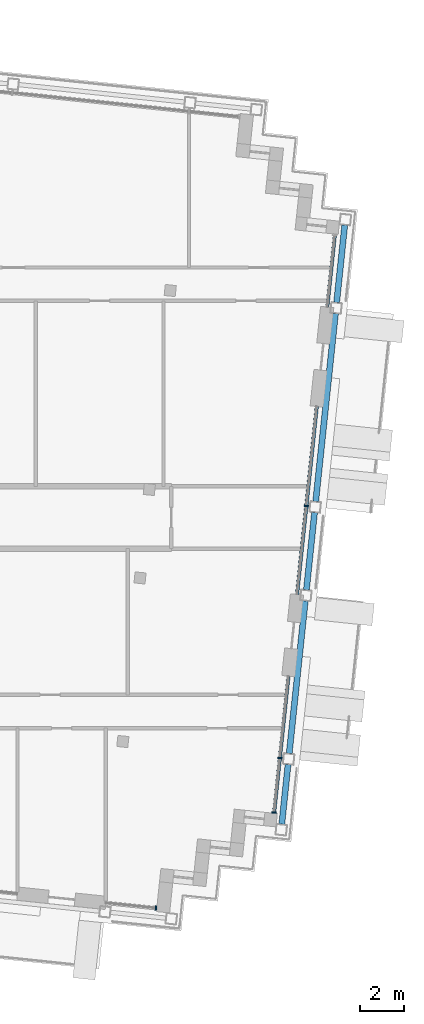
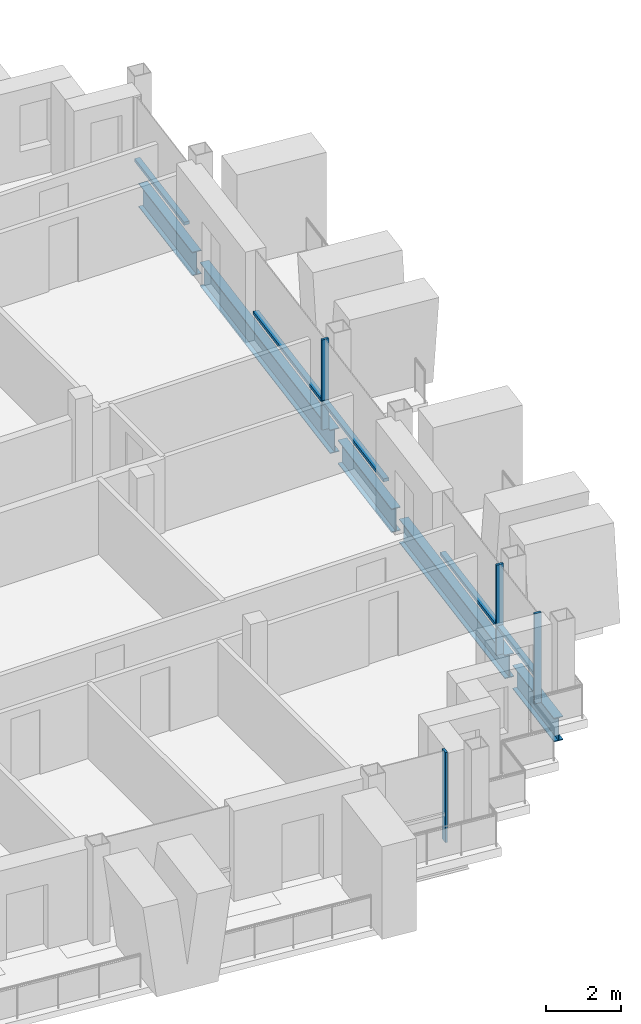
# One storey, part 4 of 16: 9 members, 5 beams, 4 elements without a shape of their own.
"""IFC4 building model written with IfcOpenShell, lengths in metres."""

from ifc_helpers import new_model, si_unit, direction, frame, origin, origin_2d, place, context, subcontext, project, spatial, rectangle, i_section, extrude, material, material_profile, profile_set, type_object, element, aggregate, save


model = new_model("IFC4")

# Units and contexts
model_context = context("Model", 3, precision=1e-05, world=origin(), true_north=direction((0.0, 1.0)))
body_context = subcontext(model_context, "Body", "Model", "MODEL_VIEW")
ifc_project = project(units=[si_unit("LENGTHUNIT", "METRE"), si_unit("AREAUNIT", "SQUARE_METRE"), si_unit("VOLUMEUNIT", "CUBIC_METRE"), si_unit("PLANEANGLEUNIT", "RADIAN"), si_unit("MASSUNIT", "GRAM", prefix="KILO")], contexts=[model_context])

# Site, building, storey
site_placement = place(None, origin())
site = spatial("IfcSite", under=ifc_project, at=site_placement, CompositionType="ELEMENT")
building_placement = place(site_placement, origin())
building = spatial("IfcBuilding", under=site, at=building_placement, Name="Vidyagriha Tower", CompositionType="ELEMENT")
storey_placement = place(building_placement, frame((0.0, 0.0, 272.300048828125)))
storey = spatial("IfcBuildingStorey", under=building, at=storey_placement, Name="L71", CompositionType="ELEMENT", Elevation=272.300048828125)

# Beams
ifc_material_1 = material(Name="Steel ASTM A992 Grade 50", Category="steel")
ifc_material_profile_1 = material_profile(ifc_material_1, i_section(OverallWidth=0.2666015625, OverallDepth=0.76953125, WebThickness=0.015625, FlangeThickness=0.025390625, at=origin_2d()), Name="W30X132")
ifc_profile_set_1 = profile_set([ifc_material_profile_1], Name="Steel ASTM A992 Grade 50")
beam_type = type_object("IfcBeamType", Name="Cantilever edge beam W30X132", PredefinedType="SPANDREL", material=ifc_profile_set_1)
beam_1_placement = place(storey_placement, frame((29.968017578125, -13.79736328125, -0.664794921875), z_axis=(0.104435320588, 0.994531680649, 0.0), x_axis=(-0.994531680649, 0.104435320588, 0.0)))
element("IfcBeam", 1, at=beam_1_placement, inside=storey, type_object=beam_type, Name="st-beam-L71-E13", PredefinedType="SPANDREL", context=body_context, shape_type="SweptSolid", body=[
    extrude(i_section(OverallWidth=0.2666015625, OverallDepth=0.76953125, WebThickness=0.015625, FlangeThickness=0.025390625, at=origin_2d()), origin(), (0.0, 0.0, 1.0), 2.699951171875),
])
beam_2_placement = place(storey_placement, frame((30.30224609375, -10.61474609375, -0.664794921875), z_axis=(0.104557694553, 0.994518822602, 0.0), x_axis=(-0.994518822602, 0.104557694553, 0.0)))
element("IfcBeam", 2, at=beam_2_placement, inside=storey, type_object=beam_type, Name="st-beam-L71-E14", PredefinedType="SPANDREL", context=body_context, shape_type="SweptSolid", body=[
    extrude(i_section(OverallWidth=0.2666015625, OverallDepth=0.76953125, WebThickness=0.015625, FlangeThickness=0.025390625, at=origin_2d()), origin(), (0.0, 0.0, 1.0), 6.89990234375),
])
beam_3_placement = place(storey_placement, frame((31.075927734375, -3.25537109375, -0.664794921875), z_axis=(0.104495960989, 0.994525310958, 0.0), x_axis=(-0.994525310958, 0.104495960989, 0.0)))
element("IfcBeam", 3, at=beam_3_placement, inside=storey, type_object=beam_type, Name="st-beam-L71-E15", PredefinedType="SPANDREL", context=body_context, shape_type="SweptSolid", body=[
    extrude(i_section(OverallWidth=0.2666015625, OverallDepth=0.76953125, WebThickness=0.015625, FlangeThickness=0.025390625, at=origin_2d()), origin(), (0.0, 0.0, 1.0), 3.499755859375),
])
beam_4_placement = place(storey_placement, frame((31.493896484375, 0.72265625, -0.664794921875), z_axis=(0.104550220202, 0.994519608382, 0.0), x_axis=(-0.994519608382, 0.104550220202, 0.0)))
element("IfcBeam", 4, at=beam_4_placement, inside=storey, type_object=beam_type, Name="st-beam-L71-E16", PredefinedType="SPANDREL", context=body_context, shape_type="SweptSolid", body=[
    extrude(i_section(OverallWidth=0.2666015625, OverallDepth=0.76953125, WebThickness=0.015625, FlangeThickness=0.025390625, at=origin_2d()), origin(), (0.0, 0.0, 1.0), 8.5),
])
beam_5_placement = place(storey_placement, frame((32.434814453125, 9.67333984375, -0.664794921875), z_axis=(0.104488712073, 0.994526072584, 0.0), x_axis=(-0.994526072584, 0.104488712073, 0.0)))
element("IfcBeam", 5, at=beam_5_placement, inside=storey, type_object=beam_type, Name="st-beam-L71-E17", PredefinedType="SPANDREL", context=body_context, shape_type="SweptSolid", body=[
    extrude(i_section(OverallWidth=0.2666015625, OverallDepth=0.76953125, WebThickness=0.015625, FlangeThickness=0.025390625, at=origin_2d()), origin(), (0.0, 0.0, 1.0), 3.5),
])

# Curtain wall, member
ifc_material_2 = material(Name="Aluminium and glass curtain wall", Category="aluminium")
curtain_wall_type = type_object("IfcCurtainWallType", Name="Dwelling skin unitised curtain wall", PredefinedType="USERDEFINED", material=ifc_material_2)
curtain_wall_1_placement = place(storey_placement, origin())
curtain_wall_1 = element("IfcCurtainWall", 6, at=curtain_wall_1_placement, inside=storey, type_object=curtain_wall_type, Name="CW1 dwelling skin", ObjectType="UNITISED", PredefinedType="USERDEFINED")
ifc_material_3 = material(Name="Aluminium black anodised", Category="aluminium")
ifc_material_profile_2 = material_profile(ifc_material_3, rectangle(XDim=0.199951171875, YDim=0.070068359375, at=origin_2d()), Name="Mullion 70x200 black aluminium")
ifc_profile_set_2 = profile_set([ifc_material_profile_2], Name="Aluminium black anodised")
member_type_1 = type_object("IfcMemberType", Name="Mullion 70x200 black aluminium", PredefinedType="MULLION", material=ifc_profile_set_2)
member_1_placement = place(storey_placement, frame((24.306884765625, -17.576171875, 0.0), z_axis=(0.0, 0.0, 1.0), x_axis=(0.10452182883, 0.994522592653, 0.0)))
member_1 = element("IfcMember", 7, at=member_1_placement, type_object=member_type_1, Name="CW1 mullion 2", PredefinedType="MULLION", context=body_context, shape_type="SweptSolid", body=[
    extrude(rectangle(XDim=0.199951171875, YDim=0.070068359375, at=origin_2d()), origin(), (0.0, 0.0, 1.0), 2.919921875),
])
aggregate(curtain_wall_1, [member_1])

# Curtain wall, members
curtain_wall_2_placement = place(storey_placement, origin())
curtain_wall_2 = element("IfcCurtainWall", 8, at=curtain_wall_2_placement, inside=storey, type_object=curtain_wall_type, Name="CW1 dwelling skin", ObjectType="UNITISED", PredefinedType="USERDEFINED")
member_2_placement = place(storey_placement, frame((29.620849609375, -13.273193359375, 0.0), z_axis=(0.0, 0.0, 1.0), x_axis=(-0.994521437861, 0.10453281607, 0.0)))
member_2 = element("IfcMember", 9, at=member_2_placement, type_object=member_type_1, Name="CW1 mullion 1", PredefinedType="MULLION", context=body_context, shape_type="SweptSolid", body=[
    extrude(rectangle(XDim=0.199951171875, YDim=0.070068359375, at=origin_2d()), origin(), (0.0, 0.0, 1.0), 2.919921875),
])
member_3_placement = place(storey_placement, frame((29.87841796875, -10.82177734375, 0.0), z_axis=(0.0, 0.0, 1.0), x_axis=(-0.994521437861, 0.10453281607, 0.0)))
member_3 = element("IfcMember", 10, at=member_3_placement, type_object=member_type_1, Name="CW1 mullion 2", PredefinedType="MULLION", context=body_context, shape_type="SweptSolid", body=[
    extrude(rectangle(XDim=0.199951171875, YDim=0.070068359375, at=origin_2d()), origin(), (0.0, 0.0, 1.0), 2.919921875),
])

# Curtain wall, member
curtain_wall_3_placement = place(storey_placement, origin())
curtain_wall_3 = element("IfcCurtainWall", 11, at=curtain_wall_3_placement, inside=storey, type_object=curtain_wall_type, Name="CW1 dwelling skin", ObjectType="UNITISED", PredefinedType="USERDEFINED")
member_4_placement = place(storey_placement, frame((31.070068359375, 0.515869140625, 0.0), z_axis=(0.0, 0.0, 1.0), x_axis=(-0.994521750347, 0.104529843047, 0.0)))
member_4 = element("IfcMember", 12, at=member_4_placement, type_object=member_type_1, Name="CW1 mullion 2", PredefinedType="MULLION", context=body_context, shape_type="SweptSolid", body=[
    extrude(rectangle(XDim=0.199951171875, YDim=0.070068359375, at=origin_2d()), origin(), (0.0, 0.0, 1.0), 2.919921875),
])

# Member
ifc_material_4 = material(Name="Aluminium black anodised", Category="aluminium")
ifc_material_profile_3 = material_profile(ifc_material_4, rectangle(XDim=0.159912109375, YDim=0.10009765625, at=origin_2d()), Name="Transom 100x160 black aluminium")
ifc_profile_set_3 = profile_set([ifc_material_profile_3], Name="Aluminium black anodised")
member_type_2 = type_object("IfcMemberType", Name="Transom 100x160 black aluminium", PredefinedType="USERDEFINED", material=ifc_profile_set_3)
member_5_placement = place(storey_placement, frame((29.62451171875, -13.23828125, 0.89990234375), z_axis=(0.104488443352, 0.994526100817, 0.0), x_axis=(-0.994526100817, 0.104488443352, 0.0)))
member_5 = element("IfcMember", 13, at=member_5_placement, type_object=member_type_2, Name="CW1 transom 1.1", ObjectType="TRANSOM", PredefinedType="USERDEFINED", context=body_context, shape_type="SweptSolid", body=[
    extrude(rectangle(XDim=0.159912109375, YDim=0.10009765625, at=origin_2d()), origin(), (0.0, 0.0, 1.0), 2.39501953125),
])

member_6_placement = place(storey_placement, frame((29.882080078125, -10.786865234375, 0.89990234375), z_axis=(0.104521800028, 0.99452259568, 0.0), x_axis=(-0.99452259568, 0.104521800028, 0.0)))
member_6 = element("IfcMember", 14, at=member_6_placement, type_object=member_type_2, Name="CW1 transom 2.1", ObjectType="TRANSOM", PredefinedType="USERDEFINED", context=body_context, shape_type="SweptSolid", body=[
    extrude(rectangle(XDim=0.159912109375, YDim=0.10009765625, at=origin_2d()), origin(), (0.0, 0.0, 1.0), 3.664794921875),
])

aggregate(curtain_wall_2, [member_2, member_3, member_5, member_6])

member_7_placement = place(storey_placement, frame((30.65185546875, -3.462158203125, 0.89990234375), z_axis=(0.104550167438, 0.994519613929, 0.0), x_axis=(-0.994519613929, 0.104550167438, 0.0)))
member_7 = element("IfcMember", 15, at=member_7_placement, type_object=member_type_2, Name="CW1 transom 1.1", ObjectType="TRANSOM", PredefinedType="USERDEFINED", context=body_context, shape_type="SweptSolid", body=[
    extrude(rectangle(XDim=0.159912109375, YDim=0.10009765625, at=origin_2d()), origin(), (0.0, 0.0, 1.0), 3.965087890625),
])

member_8_placement = place(storey_placement, frame((31.07373046875, 0.55078125, 0.89990234375), z_axis=(0.104494075643, 0.994525509052, 0.0), x_axis=(-0.994525509052, 0.104494075643, 0.0)))
member_8 = element("IfcMember", 16, at=member_8_placement, type_object=member_type_2, Name="CW1 transom 2.1", ObjectType="TRANSOM", PredefinedType="USERDEFINED", context=body_context, shape_type="SweptSolid", body=[
    extrude(rectangle(XDim=0.159912109375, YDim=0.10009765625, at=origin_2d()), origin(), (0.0, 0.0, 1.0), 4.46484375),
])

aggregate(curtain_wall_3, [member_4, member_7, member_8])

# Curtain wall, member
curtain_wall_4_placement = place(storey_placement, origin())
curtain_wall_4 = element("IfcCurtainWall", 17, at=curtain_wall_4_placement, inside=storey, type_object=curtain_wall_type, Name="CW1 dwelling skin", ObjectType="UNITISED", PredefinedType="USERDEFINED")
member_9_placement = place(storey_placement, frame((32.0107421875, 9.466552734375, 0.89990234375), z_axis=(0.104531339354, 0.994521593075, 0.0), x_axis=(-0.994521593075, 0.104531339354, 0.0)))
member_9 = element("IfcMember", 18, at=member_9_placement, type_object=member_type_2, Name="CW1 transom 1.1", ObjectType="TRANSOM", PredefinedType="USERDEFINED", context=body_context, shape_type="SweptSolid", body=[
    extrude(rectangle(XDim=0.159912109375, YDim=0.10009765625, at=origin_2d()), origin(), (0.0, 0.0, 1.0), 3.22998046875),
])
aggregate(curtain_wall_4, [member_9])

save(model, "model.ifc")
